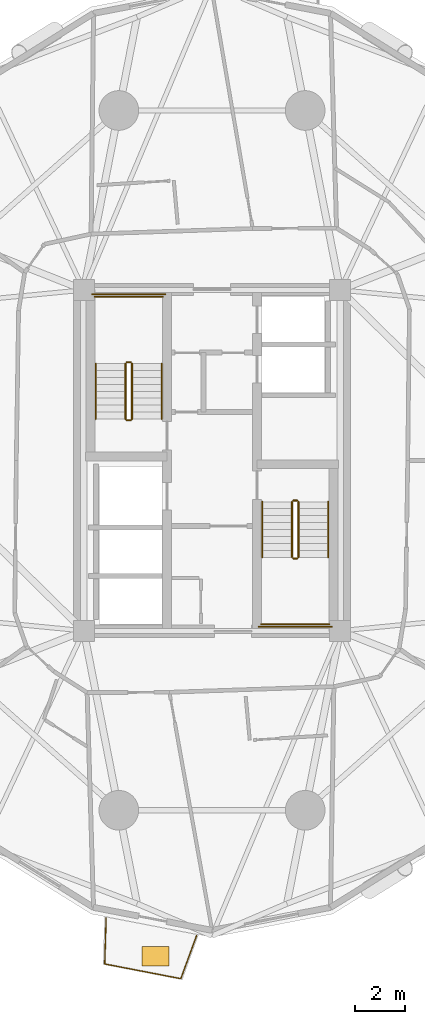
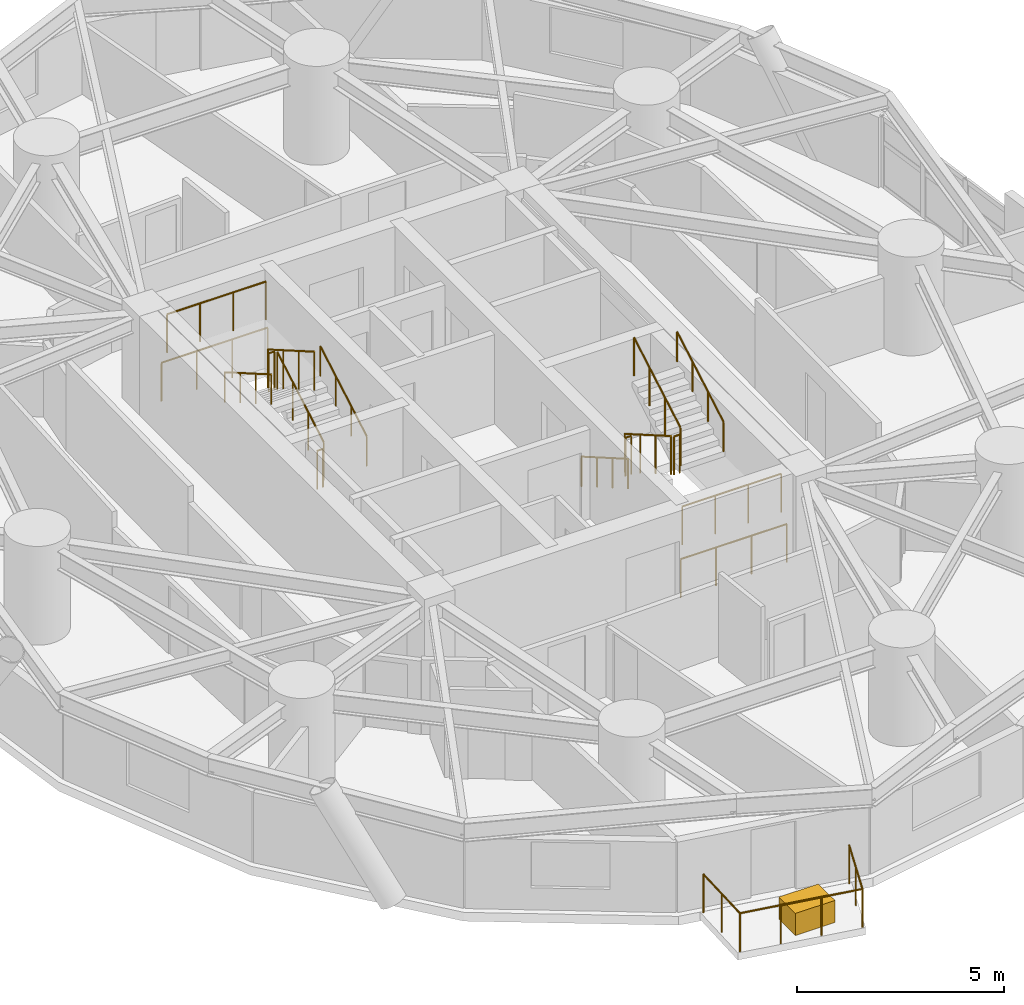
# One storey, part 17 of 19: 17 railings, 1 covering.
"""IFC4 building model written with IfcOpenShell, lengths in metres."""

from ifc_helpers import new_model, si_unit, direction, frame, origin, origin_2d, place, context, subcontext, project, spatial, rectangle, circle, extrude, source, transform, mapped, material, layer, layer_set, type_object, element, save


model = new_model("IFC4")

# Units and contexts
model_context = context("Model", 3, precision=1e-05, world=origin(), true_north=direction((0.0, 1.0)))
body_context = subcontext(model_context, "Body", "Model", "MODEL_VIEW")
ifc_project = project(units=[si_unit("LENGTHUNIT", "METRE"), si_unit("AREAUNIT", "SQUARE_METRE"), si_unit("VOLUMEUNIT", "CUBIC_METRE"), si_unit("PLANEANGLEUNIT", "RADIAN"), si_unit("MASSUNIT", "GRAM", prefix="KILO")], contexts=[model_context])

# Site, building, storey
site_placement = place(None, origin())
site = spatial("IfcSite", under=ifc_project, at=site_placement, CompositionType="ELEMENT")
building_placement = place(site_placement, origin())
building = spatial("IfcBuilding", under=site, at=building_placement, Name="Cununo Teusaquillo Station Towers", CompositionType="ELEMENT")
storey_placement = place(building_placement, frame((0.0, 0.0, 42.3701171875)))
storey = spatial("IfcBuildingStorey", under=building, at=storey_placement, Name="L12", CompositionType="ELEMENT", Elevation=42.3701171875)

# Railings
ifc_material_1 = material(Name="Anodised dark bronze aluminium EN AW-6063-T6", Category="aluminium")
railing_type_1 = type_object("IfcRailingType", Name="RL-EXT-GUARD", PredefinedType="GUARDRAIL", material=ifc_material_1)
railing_1_placement = place(storey_placement, frame((15.8818359375, 5.328125, 0.0)))
element("IfcRailing", 1, at=railing_1_placement, inside=storey, type_object=railing_type_1, Name="L12 Tower A Balcony Guardrail C14", PredefinedType="GUARDRAIL", context=body_context, shape_type="SweptSolid", body=[
    extrude(circle(Radius=0.02392578125, at=origin_2d()), frame((0.0, 0.0, 1.1259765625), z_axis=(-0.343888798081, -0.93901038043, 0.0), x_axis=(0.93901038043, -0.343888798081, 0.0)), (0.0, 0.0, 1.0), 1.86279296875),
    extrude(circle(Radius=0.02392578125, at=origin_2d()), frame((-0.640625, -1.749267578125, 1.1259765625), z_axis=(-0.981838510886, 0.189718577217, 0.0), x_axis=(-0.189718577217, -0.981838510886, 0.0)), (0.0, 0.0, 1.0), 3.12841796875),
    extrude(circle(Radius=0.02392578125, at=origin_2d()), frame((-3.712158203125, -1.15576171875, 1.1259765625), z_axis=(0.030666047799, 0.999529686159, 0.0), x_axis=(-0.999529686159, 0.030666047799, 0.0)), (0.0, 0.0, 1.0), 1.863037109375),
    extrude(circle(Radius=0.02099609375, at=origin_2d()), origin(), (0.0, 0.0, 1.0), 1.101806640625),
    extrude(circle(Radius=0.02099609375, at=origin_2d()), frame((-0.3203125, -0.87451171875, 0.0)), (0.0, 0.0, 1.0), 1.101806640625),
    extrude(circle(Radius=0.02099609375, at=origin_2d()), frame((-0.640625, -1.749267578125, 0.0)), (0.0, 0.0, 1.0), 1.101806640625),
    extrude(circle(Radius=0.02099609375, at=origin_2d()), frame((-1.66455078125, -1.551513671875, 0.0)), (0.0, 0.0, 1.0), 1.101806640625),
    extrude(circle(Radius=0.02099609375, at=origin_2d()), frame((-2.688232421875, -1.353515625, 0.0)), (0.0, 0.0, 1.0), 1.101806640625),
    extrude(circle(Radius=0.02099609375, at=origin_2d()), frame((-3.712158203125, -1.15576171875, 0.0)), (0.0, 0.0, 1.0), 1.101806640625),
    extrude(circle(Radius=0.02099609375, at=origin_2d()), frame((-3.68359375, -0.224609375, 0.0)), (0.0, 0.0, 1.0), 1.101806640625),
    extrude(circle(Radius=0.02099609375, at=origin_2d()), frame((-3.655029296875, 0.706298828125, 0.0)), (0.0, 0.0, 1.0), 1.101806640625),
])
ifc_material_2 = material(Name="Steel EN 10025-2 S355J2", Category="steel")
railing_type_2 = type_object("IfcRailingType", Name="RL-INT-GUARD", PredefinedType="GUARDRAIL", material=ifc_material_2)
railing_2_placement = place(storey_placement, frame((13.27001953125, 26.169921875, 0.16162109375)))
element("IfcRailing", 2, at=railing_2_placement, inside=storey, type_object=railing_type_2, Name="L12 ST-T1-1 stair guard 1", PredefinedType="GUARDRAIL", context=body_context, shape_type="SweptSolid", body=[
    extrude(circle(Radius=0.02392578125, at=origin_2d()), frame((0.0, 0.0, 1.1259765625), z_axis=(0.0, 0.866033117094, 0.499986639918), x_axis=(-1.0, 0.0, 0.0)), (0.0, 0.0, 1.0), 2.58642578125),
    extrude(circle(Radius=0.02099609375, at=origin_2d()), origin(), (0.0, 0.0, 1.0), 1.101806640625),
    extrude(circle(Radius=0.02099609375, at=origin_2d()), frame((0.0, 0.74658203125, 0.43115234375)), (0.0, 0.0, 1.0), 1.101806640625),
    extrude(circle(Radius=0.02099609375, at=origin_2d()), frame((0.0, 1.493408203125, 0.862060546875)), (0.0, 0.0, 1.0), 1.101806640625),
    extrude(circle(Radius=0.02099609375, at=origin_2d()), frame((0.0, 2.239990234375, 1.293212890625)), (0.0, 0.0, 1.0), 1.101806640625),
])
railing_3_placement = place(storey_placement, frame((13.219970703125, 28.4599609375, 1.454833984375)))
element("IfcRailing", 3, at=railing_3_placement, inside=storey, type_object=railing_type_2, Name="L12 ST-T1-1 stair guard 2", PredefinedType="GUARDRAIL", context=body_context, shape_type="SweptSolid", body=[
    extrude(circle(Radius=0.02392578125, at=origin_2d()), frame((0.0, 0.0, 1.1259765625), z_axis=(-1.0, 0.0, 0.0), x_axis=(0.0, -1.0, 0.0)), (0.0, 0.0, 1.0), 0.159912109375),
    extrude(circle(Radius=0.02099609375, at=origin_2d()), origin(), (0.0, 0.0, 1.0), 1.101806640625),
    extrude(circle(Radius=0.02099609375, at=origin_2d()), frame((-0.159912109375, 0.0, 0.0)), (0.0, 0.0, 1.0), 1.101806640625),
])
railing_4_placement = place(storey_placement, frame((14.52001953125, 31.110107421875, 1.454833984375)))
element("IfcRailing", 4, at=railing_4_placement, inside=storey, type_object=railing_type_2, Name="L12 ST-T1-1 stair guard 3", PredefinedType="GUARDRAIL", context=body_context, shape_type="SweptSolid", body=[
    extrude(circle(Radius=0.02392578125, at=origin_2d()), frame((0.0, 0.0, 1.1259765625), z_axis=(-1.0, 0.0, 0.0), x_axis=(0.0, -1.0, 0.0)), (0.0, 0.0, 1.0), 2.760009765625),
    extrude(circle(Radius=0.02099609375, at=origin_2d()), origin(), (0.0, 0.0, 1.0), 1.101806640625),
    extrude(circle(Radius=0.02099609375, at=origin_2d()), frame((-0.919921875, 0.0, 0.0)), (0.0, 0.0, 1.0), 1.101806640625),
    extrude(circle(Radius=0.02099609375, at=origin_2d()), frame((-1.840087890625, 0.0, 0.0)), (0.0, 0.0, 1.0), 1.101806640625),
    extrude(circle(Radius=0.02099609375, at=origin_2d()), frame((-2.760009765625, 0.0, 0.0)), (0.0, 0.0, 1.0), 1.101806640625),
])
railing_5_placement = place(storey_placement, frame((13.010009765625, 28.409912109375, 1.616455078125)))
element("IfcRailing", 5, at=railing_5_placement, inside=storey, type_object=railing_type_2, Name="L12 ST-T1-1 stair guard 4", PredefinedType="GUARDRAIL", context=body_context, shape_type="SweptSolid", body=[
    extrude(circle(Radius=0.02392578125, at=origin_2d()), frame((0.0, 0.0, 1.1259765625), z_axis=(0.0, -0.865992244559, 0.500057429065), x_axis=(1.0, 0.0, 0.0)), (0.0, 0.0, 1.0), 2.586669921875),
    extrude(circle(Radius=0.02099609375, at=origin_2d()), origin(), (0.0, 0.0, 1.0), 1.101806640625),
    extrude(circle(Radius=0.02099609375, at=origin_2d()), frame((0.0, -0.74658203125, 0.43115234375)), (0.0, 0.0, 1.0), 1.101806640625),
    extrude(circle(Radius=0.02099609375, at=origin_2d()), frame((0.0, -1.493408203125, 0.8623046875)), (0.0, 0.0, 1.0), 1.101806640625),
    extrude(circle(Radius=0.02099609375, at=origin_2d()), frame((0.0, -2.239990234375, 1.29345703125)), (0.0, 0.0, 1.0), 1.101806640625),
])
railing_6_placement = place(storey_placement, frame((13.219970703125, 26.1201171875, 0.0)))
element("IfcRailing", 6, at=railing_6_placement, inside=storey, type_object=railing_type_2, Name="L12 ST-T1-1 stair guard 5", PredefinedType="GUARDRAIL", context=body_context, shape_type="SweptSolid", body=[
    extrude(circle(Radius=0.02392578125, at=origin_2d()), frame((0.0, 0.0, 1.1259765625), z_axis=(-1.0, 0.0, 0.0), x_axis=(0.0, -1.0, 0.0)), (0.0, 0.0, 1.0), 0.159912109375),
    extrude(circle(Radius=0.02099609375, at=origin_2d()), origin(), (0.0, 0.0, 1.0), 1.101806640625),
    extrude(circle(Radius=0.02099609375, at=origin_2d()), frame((-0.159912109375, 0.0, 0.0)), (0.0, 0.0, 1.0), 1.101806640625),
])
railing_7_placement = place(storey_placement, frame((14.6201171875, 31.2099609375, 0.0)))
element("IfcRailing", 7, at=railing_7_placement, inside=storey, type_object=railing_type_2, Name="L12 ST-T1-1 stair guard 6", PredefinedType="GUARDRAIL", context=body_context, shape_type="SweptSolid", body=[
    extrude(circle(Radius=0.02392578125, at=origin_2d()), frame((0.0, 0.0, 1.1259765625), z_axis=(-1.0, 0.0, 0.0), x_axis=(0.0, -1.0, 0.0)), (0.0, 0.0, 1.0), 2.960205078125),
    extrude(circle(Radius=0.02099609375, at=origin_2d()), origin(), (0.0, 0.0, 1.0), 1.101806640625),
    extrude(circle(Radius=0.02099609375, at=origin_2d()), frame((-0.98681640625, 0.0, 0.0)), (0.0, 0.0, 1.0), 1.101806640625),
    extrude(circle(Radius=0.02099609375, at=origin_2d()), frame((-1.973388671875, 0.0, 0.0)), (0.0, 0.0, 1.0), 1.101806640625),
    extrude(circle(Radius=0.02099609375, at=origin_2d()), frame((-2.960205078125, 0.0, 0.0)), (0.0, 0.0, 1.0), 1.101806640625),
])
railing_8_placement = place(storey_placement, frame((19.72998046875, 22.830078125, 0.16162109375)))
element("IfcRailing", 8, at=railing_8_placement, inside=storey, type_object=railing_type_2, Name="L12 ST-T1-2 stair guard 1", PredefinedType="GUARDRAIL", context=body_context, shape_type="SweptSolid", body=[
    extrude(circle(Radius=0.02392578125, at=origin_2d()), frame((0.0, 0.0, 1.1259765625), z_axis=(0.0, -0.866033117094, 0.499986639918), x_axis=(1.0, 0.0, 0.0)), (0.0, 0.0, 1.0), 2.58642578125),
    extrude(circle(Radius=0.02099609375, at=origin_2d()), origin(), (0.0, 0.0, 1.0), 1.101806640625),
    extrude(circle(Radius=0.02099609375, at=origin_2d()), frame((0.0, -0.74658203125, 0.43115234375)), (0.0, 0.0, 1.0), 1.101806640625),
    extrude(circle(Radius=0.02099609375, at=origin_2d()), frame((0.0, -1.493408203125, 0.862060546875)), (0.0, 0.0, 1.0), 1.101806640625),
    extrude(circle(Radius=0.02099609375, at=origin_2d()), frame((0.0, -2.239990234375, 1.293212890625)), (0.0, 0.0, 1.0), 1.101806640625),
])
railing_9_placement = place(storey_placement, frame((19.780029296875, 20.5400390625, 1.454833984375)))
element("IfcRailing", 9, at=railing_9_placement, inside=storey, type_object=railing_type_2, Name="L12 ST-T1-2 stair guard 2", PredefinedType="GUARDRAIL", context=body_context, shape_type="SweptSolid", body=[
    extrude(circle(Radius=0.02392578125, at=origin_2d()), frame((0.0, 0.0, 1.1259765625), z_axis=(1.0, 0.0, 0.0), x_axis=(0.0, 1.0, 0.0)), (0.0, 0.0, 1.0), 0.159912109375),
    extrude(circle(Radius=0.02099609375, at=origin_2d()), origin(), (0.0, 0.0, 1.0), 1.101806640625),
    extrude(circle(Radius=0.02099609375, at=origin_2d()), frame((0.159912109375, 0.0, 0.0)), (0.0, 0.0, 1.0), 1.101806640625),
])
railing_10_placement = place(storey_placement, frame((18.47998046875, 17.889892578125, 1.454833984375)))
element("IfcRailing", 10, at=railing_10_placement, inside=storey, type_object=railing_type_2, Name="L12 ST-T1-2 stair guard 3", PredefinedType="GUARDRAIL", context=body_context, shape_type="SweptSolid", body=[
    extrude(circle(Radius=0.02392578125, at=origin_2d()), frame((0.0, 0.0, 1.1259765625), z_axis=(1.0, 0.0, 0.0), x_axis=(0.0, 1.0, 0.0)), (0.0, 0.0, 1.0), 2.760009765625),
    extrude(circle(Radius=0.02099609375, at=origin_2d()), origin(), (0.0, 0.0, 1.0), 1.101806640625),
    extrude(circle(Radius=0.02099609375, at=origin_2d()), frame((0.919921875, 0.0, 0.0)), (0.0, 0.0, 1.0), 1.101806640625),
    extrude(circle(Radius=0.02099609375, at=origin_2d()), frame((1.840087890625, 0.0, 0.0)), (0.0, 0.0, 1.0), 1.101806640625),
    extrude(circle(Radius=0.02099609375, at=origin_2d()), frame((2.760009765625, 0.0, 0.0)), (0.0, 0.0, 1.0), 1.101806640625),
])
railing_11_placement = place(storey_placement, frame((19.989990234375, 20.590087890625, 1.616455078125)))
element("IfcRailing", 11, at=railing_11_placement, inside=storey, type_object=railing_type_2, Name="L12 ST-T1-2 stair guard 4", PredefinedType="GUARDRAIL", context=body_context, shape_type="SweptSolid", body=[
    extrude(circle(Radius=0.02392578125, at=origin_2d()), frame((0.0, 0.0, 1.1259765625), z_axis=(0.0, 0.865992244559, 0.500057429065), x_axis=(-1.0, 0.0, 0.0)), (0.0, 0.0, 1.0), 2.586669921875),
    extrude(circle(Radius=0.02099609375, at=origin_2d()), origin(), (0.0, 0.0, 1.0), 1.101806640625),
    extrude(circle(Radius=0.02099609375, at=origin_2d()), frame((0.0, 0.74658203125, 0.43115234375)), (0.0, 0.0, 1.0), 1.101806640625),
    extrude(circle(Radius=0.02099609375, at=origin_2d()), frame((0.0, 1.493408203125, 0.8623046875)), (0.0, 0.0, 1.0), 1.101806640625),
    extrude(circle(Radius=0.02099609375, at=origin_2d()), frame((0.0, 2.239990234375, 1.29345703125)), (0.0, 0.0, 1.0), 1.101806640625),
])
railing_12_placement = place(storey_placement, frame((19.780029296875, 22.8798828125, 0.0)))
element("IfcRailing", 12, at=railing_12_placement, inside=storey, type_object=railing_type_2, Name="L12 ST-T1-2 stair guard 5", PredefinedType="GUARDRAIL", context=body_context, shape_type="SweptSolid", body=[
    extrude(circle(Radius=0.02392578125, at=origin_2d()), frame((0.0, 0.0, 1.1259765625), z_axis=(1.0, 0.0, 0.0), x_axis=(0.0, 1.0, 0.0)), (0.0, 0.0, 1.0), 0.159912109375),
    extrude(circle(Radius=0.02099609375, at=origin_2d()), origin(), (0.0, 0.0, 1.0), 1.101806640625),
    extrude(circle(Radius=0.02099609375, at=origin_2d()), frame((0.159912109375, 0.0, 0.0)), (0.0, 0.0, 1.0), 1.101806640625),
])
railing_13_placement = place(storey_placement, frame((18.3798828125, 17.7900390625, 0.0)))
element("IfcRailing", 13, at=railing_13_placement, inside=storey, type_object=railing_type_2, Name="L12 ST-T1-2 stair guard 6", PredefinedType="GUARDRAIL", context=body_context, shape_type="SweptSolid", body=[
    extrude(circle(Radius=0.02392578125, at=origin_2d()), frame((0.0, 0.0, 1.1259765625), z_axis=(1.0, 0.0, 0.0), x_axis=(0.0, 1.0, 0.0)), (0.0, 0.0, 1.0), 2.960205078125),
    extrude(circle(Radius=0.02099609375, at=origin_2d()), origin(), (0.0, 0.0, 1.0), 1.101806640625),
    extrude(circle(Radius=0.02099609375, at=origin_2d()), frame((0.98681640625, 0.0, 0.0)), (0.0, 0.0, 1.0), 1.101806640625),
    extrude(circle(Radius=0.02099609375, at=origin_2d()), frame((1.973388671875, 0.0, 0.0)), (0.0, 0.0, 1.0), 1.101806640625),
    extrude(circle(Radius=0.02099609375, at=origin_2d()), frame((2.960205078125, 0.0, 0.0)), (0.0, 0.0, 1.0), 1.101806640625),
])
ifc_material_3 = material(Name="Steel EN 10025-2 S355J2", Category="steel")
railing_type_3 = type_object("IfcRailingType", Name="RL-INT-HRAIL", PredefinedType="HANDRAIL", material=ifc_material_3)
railing_14_placement = place(storey_placement, frame((14.469970703125, 26.169921875, 0.16162109375)))
element("IfcRailing", 14, at=railing_14_placement, inside=storey, type_object=railing_type_3, Name="L12 ST-T1-1 stair handrail 1", PredefinedType="HANDRAIL", context=body_context, shape_type="SweptSolid", body=[
    extrude(circle(Radius=0.02392578125, at=origin_2d()), frame((0.0, 0.0, 0.8759765625), z_axis=(0.0, 0.866033117094, 0.499986639918), x_axis=(-1.0, 0.0, 0.0)), (0.0, 0.0, 1.0), 2.58642578125),
    extrude(circle(Radius=0.02099609375, at=origin_2d()), origin(), (0.0, 0.0, 1.0), 0.851806640625),
    extrude(circle(Radius=0.02099609375, at=origin_2d()), frame((0.0, 0.74658203125, 0.43115234375)), (0.0, 0.0, 1.0), 0.851806640625),
    extrude(circle(Radius=0.02099609375, at=origin_2d()), frame((0.0, 1.493408203125, 0.862060546875)), (0.0, 0.0, 1.0), 0.851806640625),
    extrude(circle(Radius=0.02099609375, at=origin_2d()), frame((0.0, 2.239990234375, 1.293212890625)), (0.0, 0.0, 1.0), 0.851806640625),
])
railing_15_placement = place(storey_placement, frame((11.81005859375, 28.409912109375, 1.616455078125)))
element("IfcRailing", 15, at=railing_15_placement, inside=storey, type_object=railing_type_3, Name="L12 ST-T1-1 stair handrail 2", PredefinedType="HANDRAIL", context=body_context, shape_type="SweptSolid", body=[
    extrude(circle(Radius=0.02392578125, at=origin_2d()), frame((0.0, 0.0, 0.8759765625), z_axis=(0.0, -0.865992244559, 0.500057429065), x_axis=(1.0, 0.0, 0.0)), (0.0, 0.0, 1.0), 2.586669921875),
    extrude(circle(Radius=0.02099609375, at=origin_2d()), origin(), (0.0, 0.0, 1.0), 0.851806640625),
    extrude(circle(Radius=0.02099609375, at=origin_2d()), frame((0.0, -0.74658203125, 0.43115234375)), (0.0, 0.0, 1.0), 0.851806640625),
    extrude(circle(Radius=0.02099609375, at=origin_2d()), frame((0.0, -1.493408203125, 0.8623046875)), (0.0, 0.0, 1.0), 0.851806640625),
    extrude(circle(Radius=0.02099609375, at=origin_2d()), frame((0.0, -2.239990234375, 1.29345703125)), (0.0, 0.0, 1.0), 0.851806640625),
])
railing_16_placement = place(storey_placement, frame((18.530029296875, 22.830078125, 0.16162109375)))
element("IfcRailing", 16, at=railing_16_placement, inside=storey, type_object=railing_type_3, Name="L12 ST-T1-2 stair handrail 1", PredefinedType="HANDRAIL", context=body_context, shape_type="SweptSolid", body=[
    extrude(circle(Radius=0.02392578125, at=origin_2d()), frame((0.0, 0.0, 0.8759765625), z_axis=(0.0, -0.866033117094, 0.499986639918), x_axis=(1.0, 0.0, 0.0)), (0.0, 0.0, 1.0), 2.58642578125),
    extrude(circle(Radius=0.02099609375, at=origin_2d()), origin(), (0.0, 0.0, 1.0), 0.851806640625),
    extrude(circle(Radius=0.02099609375, at=origin_2d()), frame((0.0, -0.74658203125, 0.43115234375)), (0.0, 0.0, 1.0), 0.851806640625),
    extrude(circle(Radius=0.02099609375, at=origin_2d()), frame((0.0, -1.493408203125, 0.862060546875)), (0.0, 0.0, 1.0), 0.851806640625),
    extrude(circle(Radius=0.02099609375, at=origin_2d()), frame((0.0, -2.239990234375, 1.293212890625)), (0.0, 0.0, 1.0), 0.851806640625),
])
railing_17_placement = place(storey_placement, frame((21.18994140625, 20.590087890625, 1.616455078125)))
element("IfcRailing", 17, at=railing_17_placement, inside=storey, type_object=railing_type_3, Name="L12 ST-T1-2 stair handrail 2", PredefinedType="HANDRAIL", context=body_context, shape_type="SweptSolid", body=[
    extrude(circle(Radius=0.02392578125, at=origin_2d()), frame((0.0, 0.0, 0.8759765625), z_axis=(0.0, 0.865992244559, 0.500057429065), x_axis=(-1.0, 0.0, 0.0)), (0.0, 0.0, 1.0), 2.586669921875),
    extrude(circle(Radius=0.02099609375, at=origin_2d()), origin(), (0.0, 0.0, 1.0), 0.851806640625),
    extrude(circle(Radius=0.02099609375, at=origin_2d()), frame((0.0, 0.74658203125, 0.43115234375)), (0.0, 0.0, 1.0), 0.851806640625),
    extrude(circle(Radius=0.02099609375, at=origin_2d()), frame((0.0, 1.493408203125, 0.8623046875)), (0.0, 0.0, 1.0), 0.851806640625),
    extrude(circle(Radius=0.02099609375, at=origin_2d()), frame((0.0, 2.239990234375, 1.29345703125)), (0.0, 0.0, 1.0), 0.851806640625),
])

# Covering
ifc_material_4 = material(Name="Architectural GRC planter shell and engineered root-zone substrate", Category="concrete")
ifc_layer = layer(ifc_material_4, 0.64990234375)
ifc_layer_set = layer_set([ifc_layer], Name="Architectural GRC planter shell and engineered root-zone substrate")
covering_type = type_object("IfcCoveringType", Name="COV-TREE-PLANTER", PredefinedType="CLADDING", material=ifc_layer_set)
shared_shape = source(origin(), body_context, "Body", "SweptSolid", [
    extrude(rectangle(XDim=1.10009765625, YDim=0.800048828125, at=origin_2d()), origin(), (0.0, 0.0, 1.0), 0.64990234375),
])
covering_placement = place(storey_placement, frame((14.21484375, 4.48291015625, 0.0), z_axis=(0.0, 0.0, 1.0), x_axis=(1.0, 0.0, 0.0)))
element("IfcCovering", 18, at=covering_placement, inside=storey, type_object=covering_type, Name="L12 Tower A Balcony Tree PLANTER C14", PredefinedType="CLADDING", context=body_context, shape_type="MappedRepresentation", body=[
    mapped(shared_shape, transform((0.0, 0.0, 0.0), x_axis=(1.0, 0.0, 0.0), y_axis=(0.0, 1.0, 0.0), z_axis=(0.0, 0.0, 1.0), scale=1.0)),
])

save(model, "model.ifc")
